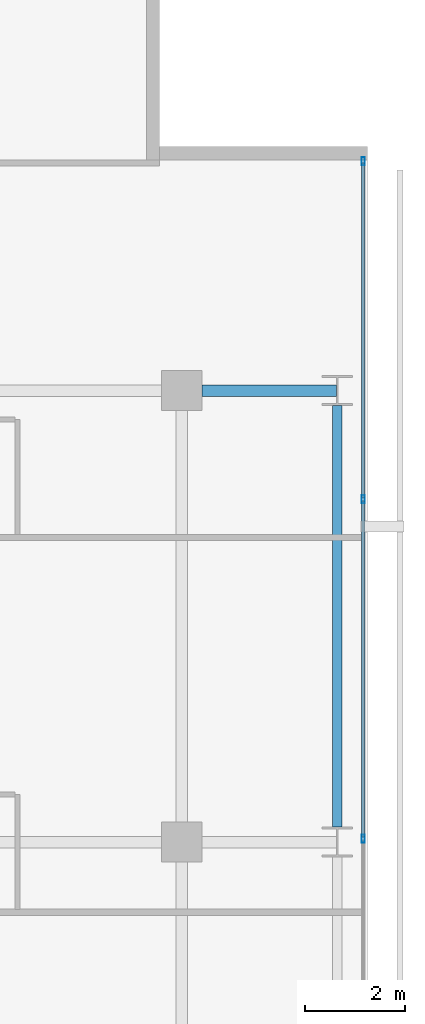
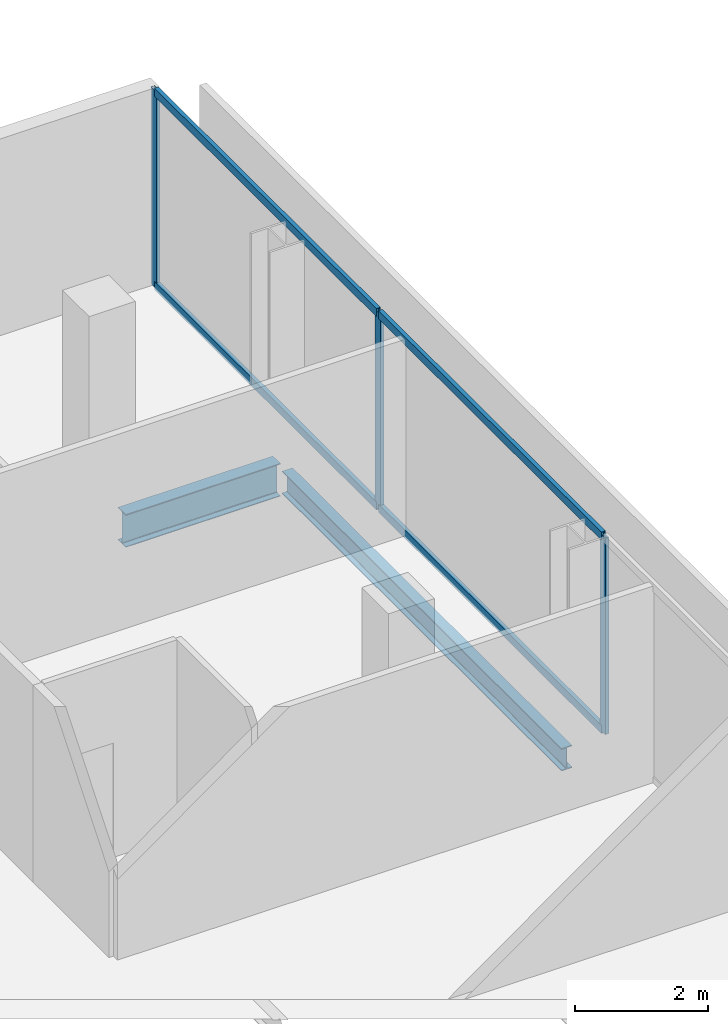
# One storey, part 24 of 33: 7 members, 2 beams, 1 element without a shape of its own.
"""IFC4 building model written with IfcOpenShell, lengths in metres."""

from ifc_helpers import new_model, si_unit, direction, frame, origin, origin_2d, place, context, subcontext, project, spatial, hollow_rectangle, i_section, extrude, material, layer, layer_set, material_profile, profile_set, type_object, element, aggregate, save


model = new_model("IFC4")

# Units and contexts
model_context = context("Model", 3, precision=1e-05, world=origin(), true_north=direction((0.0, 1.0)))
body_context = subcontext(model_context, "Body", "Model", "MODEL_VIEW")
ifc_project = project(units=[si_unit("LENGTHUNIT", "METRE"), si_unit("AREAUNIT", "SQUARE_METRE"), si_unit("VOLUMEUNIT", "CUBIC_METRE"), si_unit("PLANEANGLEUNIT", "RADIAN"), si_unit("MASSUNIT", "GRAM", prefix="KILO")], contexts=[model_context])

# Site, building, storey
site_placement = place(None, origin())
site = spatial("IfcSite", under=ifc_project, at=site_placement, CompositionType="ELEMENT")
building_placement = place(site_placement, origin())
building = spatial("IfcBuilding", under=site, at=building_placement, Name="Maruvema Waterfront Hotel and Observation Tower", CompositionType="ELEMENT")
storey_placement = place(building_placement, frame((0.0, 0.0, 158.199951171875)))
storey = spatial("IfcBuildingStorey", under=building, at=storey_placement, Name="L38", CompositionType="ELEMENT", Elevation=158.199951171875)

# Curtain wall, members
ifc_material_1 = material(Name="Anodised bronze aluminium and solar-control low-E IGU", Category="aluminium")
ifc_layer = layer(ifc_material_1, 0.159912109375, Name="Zone 2 Amber Inner Thermal Curtain Wall System CW-03")
ifc_layer_set = layer_set([ifc_layer], Name="Anodised bronze aluminium and solar-control low-E IGU")
curtain_wall_type = type_object("IfcCurtainWallType", Name="Zone 2 Amber Inner Thermal Curtain Wall System CW-03", PredefinedType="USERDEFINED", material=ifc_layer_set)
curtain_wall_placement = place(storey_placement, origin())
curtain_wall = element("IfcCurtainWall", 1, at=curtain_wall_placement, inside=storey, type_object=curtain_wall_type, Name="L38 Curtain Wall CW-L38-E", ObjectType="UNITISED CURTAIN WALL", PredefinedType="USERDEFINED")
ifc_material_2 = material(Name="Anodised architectural bronze aluminium", Category="aluminium")
ifc_material_profile_1 = material_profile(ifc_material_2, hollow_rectangle(XDim=0.070068359375, YDim=0.14990234375, WallThickness=0.00390625, at=origin_2d()), Name="ALU-T70x150")
ifc_profile_set_1 = profile_set([ifc_material_profile_1], Name="Anodised architectural bronze aluminium")
member_type_1 = type_object("IfcMemberType", Name="Curtain Wall Horizontal Transom ALU-T70x150", PredefinedType="USERDEFINED", material=ifc_profile_set_1)
member_1_placement = place(storey_placement, frame((62.419921875, 36.0966796875, 0.030029296875), z_axis=(0.0, 1.0, 0.0), x_axis=(-1.0, 0.0, 0.0)))
member_1 = element("IfcMember", 2, at=member_1_placement, type_object=member_type_1, Name="CW-03 transom 5.1", ObjectType="TRANSOM", PredefinedType="USERDEFINED", context=body_context, shape_type="SweptSolid", body=[
    extrude(hollow_rectangle(XDim=0.070068359375, YDim=0.14990234375, WallThickness=0.00390625, at=origin_2d()), origin(), (0.0, 0.0, 1.0), 6.70654296875),
])
member_2_placement = place(storey_placement, frame((62.419921875, 36.0966796875, 3.580078125), z_axis=(0.0, 1.0, 0.0), x_axis=(-1.0, 0.0, 0.0)))
member_2 = element("IfcMember", 3, at=member_2_placement, type_object=member_type_1, Name="CW-03 transom 5.2", ObjectType="TRANSOM", PredefinedType="USERDEFINED", context=body_context, shape_type="SweptSolid", body=[
    extrude(hollow_rectangle(XDim=0.070068359375, YDim=0.14990234375, WallThickness=0.00390625, at=origin_2d()), origin(), (0.0, 0.0, 1.0), 6.70654296875),
])
member_3_placement = place(storey_placement, frame((62.419921875, 42.86328125, 0.030029296875), z_axis=(0.0, 1.0, 0.0), x_axis=(-1.0, 0.0, 0.0)))
member_3 = element("IfcMember", 4, at=member_3_placement, type_object=member_type_1, Name="CW-03 transom 6.1", ObjectType="TRANSOM", PredefinedType="USERDEFINED", context=body_context, shape_type="SweptSolid", body=[
    extrude(hollow_rectangle(XDim=0.070068359375, YDim=0.14990234375, WallThickness=0.00390625, at=origin_2d()), origin(), (0.0, 0.0, 1.0), 6.6767578125),
])
member_4_placement = place(storey_placement, frame((62.419921875, 42.86328125, 3.580078125), z_axis=(0.0, 1.0, 0.0), x_axis=(-1.0, 0.0, 0.0)))
member_4 = element("IfcMember", 5, at=member_4_placement, type_object=member_type_1, Name="CW-03 transom 6.2", ObjectType="TRANSOM", PredefinedType="USERDEFINED", context=body_context, shape_type="SweptSolid", body=[
    extrude(hollow_rectangle(XDim=0.070068359375, YDim=0.14990234375, WallThickness=0.00390625, at=origin_2d()), origin(), (0.0, 0.0, 1.0), 6.6767578125),
])
ifc_material_3 = material(Name="Anodised architectural bronze aluminium", Category="aluminium")
ifc_material_profile_2 = material_profile(ifc_material_3, hollow_rectangle(XDim=0.06494140625, YDim=0.1650390625, WallThickness=0.00390625, at=origin_2d()), Name="ALU-M65x165")
ifc_profile_set_2 = profile_set([ifc_material_profile_2], Name="Anodised architectural bronze aluminium")
member_type_2 = type_object("IfcMemberType", Name="Curtain Wall Primary Mullion ALU-M65x165", PredefinedType="MULLION", material=ifc_profile_set_2)
member_5_placement = place(storey_placement, frame((62.419921875, 36.066650390625, 0.0), z_axis=(0.0, 0.0, 1.0), x_axis=(-1.0, 0.0, 0.0)))
member_5 = element("IfcMember", 6, at=member_5_placement, type_object=member_type_2, Name="CW-03 mullion 5", PredefinedType="MULLION", context=body_context, shape_type="SweptSolid", body=[
    extrude(hollow_rectangle(XDim=0.06494140625, YDim=0.1650390625, WallThickness=0.00390625, at=origin_2d()), origin(), (0.0, 0.0, 1.0), 3.610107421875),
])
member_6_placement = place(storey_placement, frame((62.419921875, 42.833251953125, 0.0), z_axis=(0.0, 0.0, 1.0), x_axis=(-1.0, 0.0, 0.0)))
member_6 = element("IfcMember", 7, at=member_6_placement, type_object=member_type_2, Name="CW-03 mullion 6", PredefinedType="MULLION", context=body_context, shape_type="SweptSolid", body=[
    extrude(hollow_rectangle(XDim=0.06494140625, YDim=0.1650390625, WallThickness=0.00390625, at=origin_2d()), origin(), (0.0, 0.0, 1.0), 3.610107421875),
])
member_7_placement = place(storey_placement, frame((62.419921875, 49.570068359375, 0.0), z_axis=(0.0, 0.0, 1.0), x_axis=(-1.0, 0.0, 0.0)))
member_7 = element("IfcMember", 8, at=member_7_placement, type_object=member_type_2, Name="CW-03 mullion 7", PredefinedType="MULLION", context=body_context, shape_type="SweptSolid", body=[
    extrude(hollow_rectangle(XDim=0.06494140625, YDim=0.1650390625, WallThickness=0.00390625, at=origin_2d()), origin(), (0.0, 0.0, 1.0), 3.610107421875),
])
aggregate(curtain_wall, [member_5, member_6, member_7, member_1, member_2, member_3, member_4])

# Beams
ifc_material_4 = material(Name="Steel ASTM A572 Grade 50", Category="steel")
ifc_material_profile_3 = material_profile(ifc_material_4, i_section(OverallWidth=0.180908203125, OverallDepth=0.4169921875, WebThickness=0.010986328125, FlangeThickness=0.018310546875, FilletRadius=0.014892578125, at=origin_2d()), Name="W410x85.0")
ifc_profile_set_3 = profile_set([ifc_material_profile_3], Name="Steel ASTM A572 Grade 50")
beam_type_1 = type_object("IfcBeamType", Name="Perimeter Spandrel Beam W410x85.0", PredefinedType="SPANDREL", material=ifc_profile_set_3)
beam_1_placement = place(storey_placement, frame((61.89990234375, 36.300048828125, -0.448486328125), z_axis=(0.0, 1.0, 0.0), x_axis=(-1.0, 0.0, 0.0)))
element("IfcBeam", 9, at=beam_1_placement, inside=storey, type_object=beam_type_1, Name="L38 Floor Girder NS-32", PredefinedType="SPANDREL", context=body_context, shape_type="SweptSolid", body=[
    extrude(i_section(OverallWidth=0.180908203125, OverallDepth=0.4169921875, WebThickness=0.010986328125, FlangeThickness=0.018310546875, FilletRadius=0.014892578125, at=origin_2d()), origin(), (0.0, 0.0, 1.0), 8.39990234375),
])
ifc_material_5 = material(Name="Steel ASTM A572 Grade 50", Category="steel")
ifc_material_profile_4 = material_profile(ifc_material_5, i_section(OverallWidth=0.22802734375, OverallDepth=0.60302734375, WebThickness=0.010498046875, FlangeThickness=0.014892578125, FilletRadius=0.01806640625, at=origin_2d()), Name="W610x101.0")
ifc_profile_set_4 = profile_set([ifc_material_profile_4], Name="Steel ASTM A572 Grade 50")
beam_type_2 = type_object("IfcBeamType", Name="Primary Floor Girder W610x101.0", PredefinedType="BEAM", material=ifc_profile_set_4)
beam_2_placement = place(storey_placement, frame((59.199951171875, 45.0, -0.54150390625), z_axis=(1.0, 0.0, 0.0), x_axis=(0.0, 1.0, 0.0)))
element("IfcBeam", 10, at=beam_2_placement, inside=storey, type_object=beam_type_2, Name="L38 Floor Girder EW-33", PredefinedType="BEAM", context=body_context, shape_type="SweptSolid", body=[
    extrude(i_section(OverallWidth=0.22802734375, OverallDepth=0.60302734375, WebThickness=0.010498046875, FlangeThickness=0.014892578125, FilletRadius=0.01806640625, at=origin_2d()), origin(), (0.0, 0.0, 1.0), 2.6875),
])

save(model, "model.ifc")
